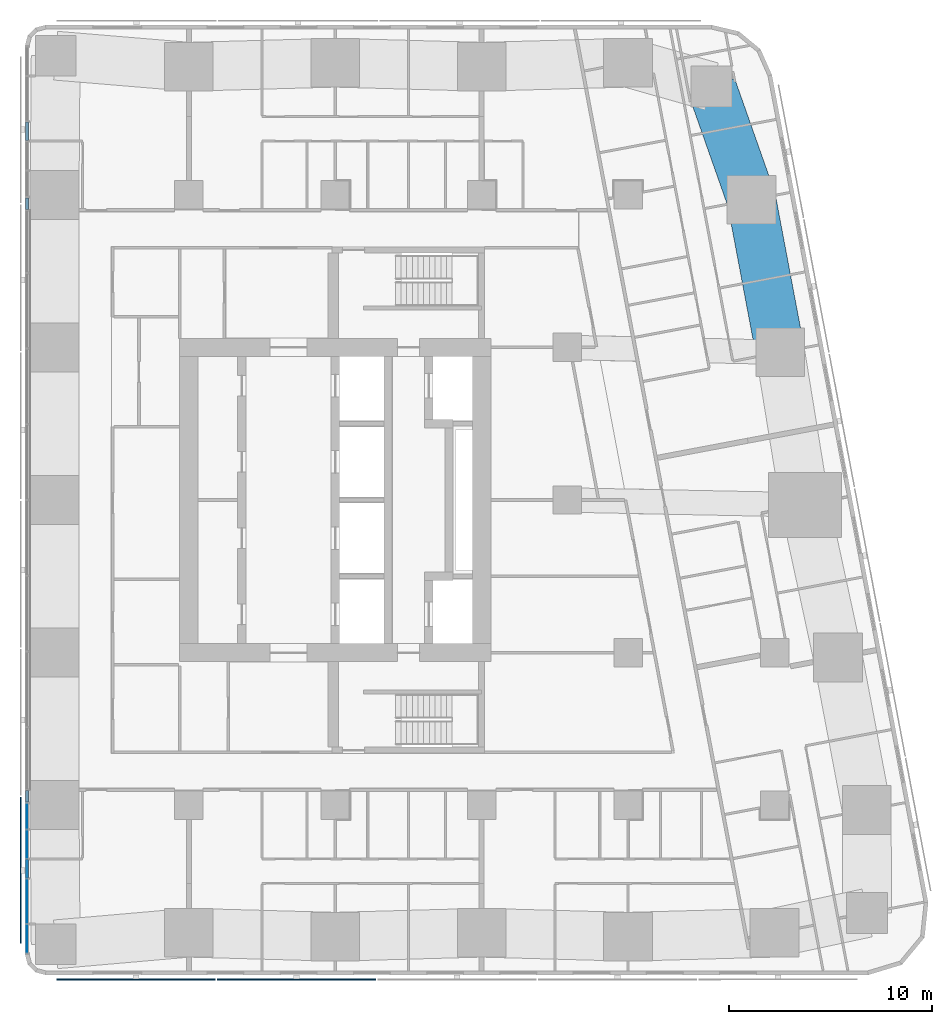
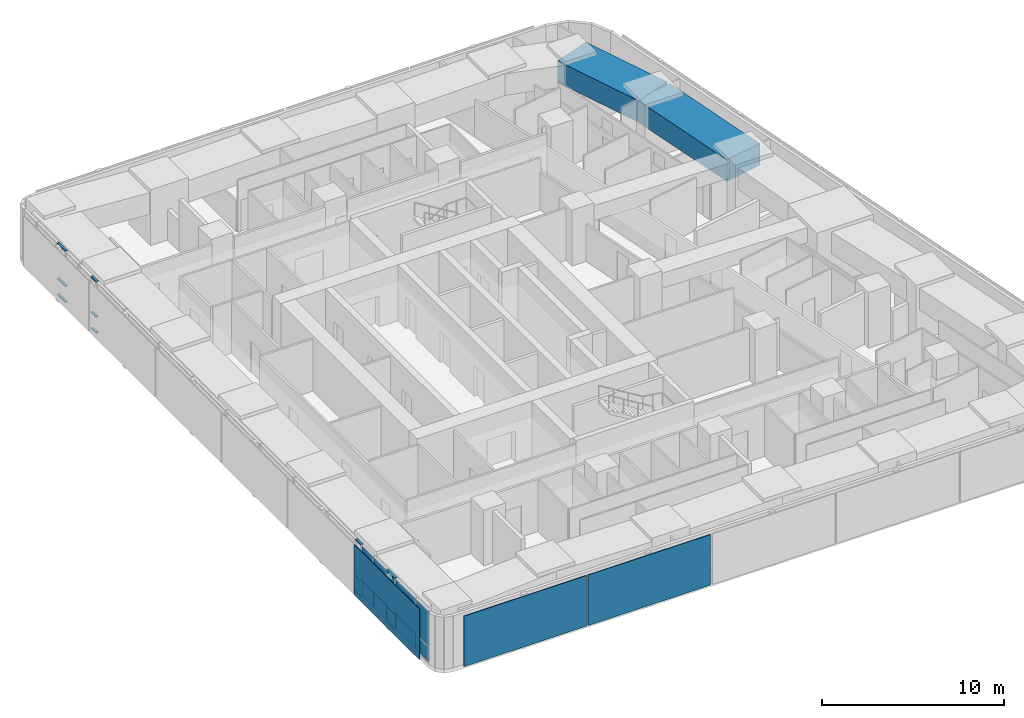
# One storey, part 6 of 19: 13 plates, 12 members, 2 beams, 1 element without a shape of its own.
"""IFC4 building model written with IfcOpenShell, lengths in metres."""

import ifcopenshell
import ifcopenshell.guid

model = None  # the IFC model being written
_history = None  # IfcOwnerHistory: only IFC2X3 demands one
_inside = {}  # id of a spatial element -> (the spatial element, [elements in it])
_under = {}  # id of a project, library or spatial element -> (it, [spatial elements below it])
_declared = {}  # id of a project -> (the project, [libraries it declares])
_typed = {}  # id of a type object -> (the type object, [elements of that type])
_made_of = {}  # id of a material, layer set ... -> (it, [elements and type objects made of it])


def new_model(schema):
    """Start an empty IFC model of exactly this schema.

    Asked for "IFC4X3", IfcOpenShell would pick the latest addendum, in which some entities
    have other attributes; the version numbers below select the first issue.
    IFC2X3 requires an IfcOwnerHistory on every rooted entity: one is made here for all.
    """
    global model, _history
    if schema == "IFC4X3":
        model = ifcopenshell.file(schema_version=(4, 3, 0, 0))
    else:
        model = ifcopenshell.file(schema=schema)
    _inside.clear()
    _under.clear()
    _declared.clear()
    _typed.clear()
    _made_of.clear()
    _history = None
    if model.schema == "IFC2X3":
        org = make("IfcOrganization", Name="unknown")
        user = make(
            "IfcPersonAndOrganization",
            ThePerson=make("IfcPerson", FamilyName="unknown"),
            TheOrganization=org,
        )
        app = make(
            "IfcApplication",
            ApplicationDeveloper=org,
            Version="unknown",
            ApplicationFullName="unknown",
            ApplicationIdentifier="unknown",
        )
        _history = make(
            "IfcOwnerHistory",
            OwningUser=user,
            OwningApplication=app,
            ChangeAction="ADDED",
            CreationDate=0,
        )
    return model


def make(cls, **values):
    """One entity of the class cls with the attributes given. An attribute that is None is left unset."""
    return model.create_entity(
        cls, **{name: value for name, value in values.items() if value is not None}
    )


def rooted(cls, **values):
    """An entity with a GlobalId (a new one), such as an element, a storey or a relation."""
    return make(cls, GlobalId=ifcopenshell.guid.new(), OwnerHistory=_history, **values)


def si_unit(unit_type, name, prefix=None):
    """IfcSIUnit, for example si_unit("LENGTHUNIT", "METRE", prefix="MILLI")."""
    return make("IfcSIUnit", UnitType=unit_type, Prefix=prefix, Name=name)


def assignment(units):
    """IfcUnitAssignment: the units of a project."""
    return None if units is None else make("IfcUnitAssignment", Units=units)


def point(xyz):
    """IfcCartesianPoint."""
    return None if xyz is None else make("IfcCartesianPoint", Coordinates=xyz)


def direction(xyz):
    """IfcDirection."""
    return None if xyz is None else make("IfcDirection", DirectionRatios=xyz)


def frame(location, z_axis=None, x_axis=None):
    """IfcAxis2Placement3D, a coordinate frame: its origin and axes. An axis left out is left unset."""
    return make(
        "IfcAxis2Placement3D",
        Location=point(location),
        Axis=direction(z_axis),
        RefDirection=direction(x_axis),
    )


def frame_2d(location, x_axis=None):
    """IfcAxis2Placement2D, a coordinate frame in the plane: its origin and x axis."""
    return make(
        "IfcAxis2Placement2D", Location=point(location), RefDirection=direction(x_axis)
    )


def origin():
    """The frame at (0, 0, 0) with its axes left unset."""
    return frame((0.0, 0.0, 0.0))


def origin_2d():
    """The frame at (0, 0) in the plane with its x axis left unset."""
    return frame_2d((0.0, 0.0))


def place(relative_to, where):
    """IfcLocalPlacement: puts the frame where relative to a parent placement (None: the world)."""
    return make(
        "IfcLocalPlacement", PlacementRelTo=relative_to, RelativePlacement=where
    )


def context(
    kind, dimensions, precision=None, world=None, true_north=None, identifier=None
):
    """IfcGeometricRepresentationContext, for example the 3D "Model" context."""
    return make(
        "IfcGeometricRepresentationContext",
        ContextIdentifier=identifier,
        ContextType=kind,
        CoordinateSpaceDimension=dimensions,
        Precision=precision,
        WorldCoordinateSystem=world,
        TrueNorth=true_north,
    )


def subcontext(parent, identifier, kind, view, scale=None):
    """IfcGeometricRepresentationSubContext, for example "Body" below "Model"."""
    return make(
        "IfcGeometricRepresentationSubContext",
        ContextIdentifier=identifier,
        ContextType=kind,
        ParentContext=parent,
        TargetScale=scale,
        TargetView=view,
    )


def project(units=None, contexts=None):
    """IfcProject with its units and contexts."""
    return rooted(
        "IfcProject",
        Name="project",
        RepresentationContexts=contexts,
        UnitsInContext=assignment(units),
    )


def spatial(cls, under=None, at=None, **own):
    """A site, building, storey or space (cls), placed at a placement, below another one or the project."""
    s = rooted(cls, ObjectPlacement=at, **own)
    if under is not None:
        _under.setdefault(under.id(), (under, []))[1].append(s)
    return s


def profile(cls, at=None, kind="AREA", **sizes):
    """A parametric profile (cls). Its sizes go by their IFC names, for example OverallWidth=200.0."""
    return make(cls, ProfileType=kind, Position=at, **sizes)


def rectangle(**sizes):
    """IfcRectangleProfileDef."""
    return profile("IfcRectangleProfileDef", **sizes)


def extrude(swept, where, along, depth):
    """IfcExtrudedAreaSolid: the profile swept, set in the frame where, extruded along a direction by depth."""
    return make(
        "IfcExtrudedAreaSolid",
        SweptArea=swept,
        Position=where,
        ExtrudedDirection=direction(along),
        Depth=depth,
    )


def shape(context_of_items, identifier, shape_type, items):
    """IfcShapeRepresentation: the items that make up one representation, for example the "Body"."""
    return make(
        "IfcShapeRepresentation",
        ContextOfItems=context_of_items,
        RepresentationIdentifier=identifier,
        RepresentationType=shape_type,
        Items=items,
    )


def material(Name=None, Category=None):
    """IfcMaterial."""
    return make("IfcMaterial", Name=Name, Category=Category)


def layer(
    of_material, thickness, ventilated=None, Name=None, Category=None, Priority=None
):
    """IfcMaterialLayer: one layer of a wall or slab, of a material (None: an air gap)."""
    return make(
        "IfcMaterialLayer",
        Material=of_material,
        LayerThickness=thickness,
        IsVentilated=ventilated,
        Name=Name,
        Category=Category,
        Priority=Priority,
    )


def layer_set(layers, Name=None):
    """IfcMaterialLayerSet."""
    return make("IfcMaterialLayerSet", MaterialLayers=layers, LayerSetName=Name)


def material_profile(
    of_material, cross_section, Name=None, Category=None, Priority=None
):
    """IfcMaterialProfile: a cross section and its material."""
    return make(
        "IfcMaterialProfile",
        Name=Name,
        Material=of_material,
        Profile=cross_section,
        Priority=Priority,
        Category=Category,
    )


def profile_set(profiles, Name=None, composite=None):
    """IfcMaterialProfileSet."""
    return make(
        "IfcMaterialProfileSet",
        Name=Name,
        MaterialProfiles=profiles,
        CompositeProfile=composite,
    )


def made_of(thing, what):
    """Note that an element or type object is made of a material, layer set ...; save() writes the relation."""
    if what is not None:
        _made_of.setdefault(what.id(), (what, []))[1].append(thing)
    return thing


def type_object(cls, material=None, **own):
    """A type object (cls), such as IfcWallType, which elements share."""
    return made_of(rooted(cls, **own), material)


def element(
    cls,
    number,
    at=None,
    inside=None,
    cuts=None,
    type_object=None,
    material=None,
    context=None,
    identifier="Body",
    shape_type=None,
    held_by="IfcProductDefinitionShape",
    body=None,
    shapes=None,
    **own,
):
    """One element of the class cls, such as IfcWall. Its Tag is "e" and its number.

    at: its placement. inside: the storey or other place that contains it. cuts: it is an
    opening in that element (IfcRelVoidsElement). A single representation is given by context,
    identifier, shape_type and body (its items); several are given by shapes. held_by: the class
    of the entity that holds the representations. save() writes the other relations.
    """
    e = rooted(cls, Tag="e%d" % number, ObjectPlacement=at, **own)
    if body is not None:
        shapes = [shape(context, identifier, shape_type, body)]
    if shapes is not None:
        e.Representation = make(held_by, Representations=shapes)
    if inside is not None:
        _inside.setdefault(inside.id(), (inside, []))[1].append(e)
    if cuts is not None:
        rooted(
            "IfcRelVoidsElement", RelatingBuildingElement=cuts, RelatedOpeningElement=e
        )
    if type_object is not None:
        _typed.setdefault(type_object.id(), (type_object, []))[1].append(e)
    return made_of(e, material)


def aggregate(whole, parts):
    """IfcRelAggregates: a whole, such as a stair, and the parts it consists of."""
    return rooted("IfcRelAggregates", RelatingObject=whole, RelatedObjects=parts)


def save(model, path):
    """Write the relations noted so far, then the file.

    IfcRelAggregates (storeys below a building ...), IfcRelContainedInSpatialStructure (elements
    in a storey), IfcRelDefinesByType, IfcRelAssociatesMaterial and IfcRelDeclares: one each for
    every whole, place, type object, material and project.
    """
    for whole, parts in _under.values():
        aggregate(whole, parts)
    for where, things in _inside.values():
        rooted(
            "IfcRelContainedInSpatialStructure",
            RelatedElements=things,
            RelatingStructure=where,
        )
    for kind, things in _typed.values():
        rooted("IfcRelDefinesByType", RelatedObjects=things, RelatingType=kind)
    for what, things in _made_of.values():
        rooted("IfcRelAssociatesMaterial", RelatedObjects=things, RelatingMaterial=what)
    for by, libraries in _declared.values():
        rooted("IfcRelDeclares", RelatingContext=by, RelatedDefinitions=libraries)
    model.write(path)


model = new_model("IFC4")

# Units and contexts
model_context = context("Model", 3, precision=1e-05, world=origin(), true_north=direction((0.0, 1.0)))
body_context = subcontext(model_context, "Body", "Model", "MODEL_VIEW")
ifc_project = project(units=[si_unit("LENGTHUNIT", "METRE"), si_unit("AREAUNIT", "SQUARE_METRE"), si_unit("VOLUMEUNIT", "CUBIC_METRE"), si_unit("PLANEANGLEUNIT", "RADIAN"), si_unit("MASSUNIT", "GRAM", prefix="KILO")], contexts=[model_context])

# Site, building, storey
site_placement = place(None, origin())
site = spatial("IfcSite", under=ifc_project, at=site_placement, CompositionType="ELEMENT")
building_placement = place(site_placement, origin())
building = spatial("IfcBuilding", under=site, at=building_placement, Name="Sheger Commons Tower", CompositionType="ELEMENT")
storey_placement = place(building_placement, frame((0.0, 0.0, 201.199951171875)))
storey = spatial("IfcBuildingStorey", under=building, at=storey_placement, Name="L51", CompositionType="ELEMENT", Elevation=201.199951171875)

# Beams
ifc_material_1 = material(Name="Concrete C50/60", Category="concrete")
ifc_material_profile_1 = material_profile(ifc_material_1, rectangle(XDim=2.39990234375, YDim=1.449951171875, at=origin_2d()), Name="RC 2400x1450")
ifc_profile_set_1 = profile_set([ifc_material_profile_1], Name="Concrete C50/60")
beam_type = type_object("IfcBeamType", Name="SPANDREL RC 2400x1450", PredefinedType="SPANDREL", material=ifc_profile_set_1)
beam_1_placement = place(storey_placement, frame((43.47998046875, 29.762939453125, 2.775146484375), z_axis=(-0.18552441405, 0.982639655108, 0.0), x_axis=(-0.982639655108, -0.18552441405, 0.0)))
element("IfcBeam", 1, at=beam_1_placement, inside=storey, type_object=beam_type, Name="Beam E/E-E/F under L52", PredefinedType="SPANDREL", context=body_context, shape_type="SweptSolid", body=[
    extrude(rectangle(XDim=2.39990234375, YDim=1.449951171875, at=origin_2d()), origin(), (0.0, 0.0, 1.0), 7.632568359375),
])
beam_2_placement = place(storey_placement, frame((42.06396484375, 37.262939453125, 2.775146484375), z_axis=(-0.332374403357, 0.943147526102, 0.0), x_axis=(-0.943147526102, -0.332374403357, 0.0)))
element("IfcBeam", 2, at=beam_2_placement, inside=storey, type_object=beam_type, Name="Beam E/F-41.490,44.505 under L52", PredefinedType="SPANDREL", context=body_context, shape_type="SweptSolid", body=[
    extrude(rectangle(XDim=2.39990234375, YDim=1.449951171875, at=origin_2d()), origin(), (0.0, 0.0, 1.0), 5.90283203125),
])

# Curtain wall, members, plates
ifc_material_2 = material(Name="Black aluminium curtain wall, dark tinted glazing", Category="aluminium")
curtain_wall_type = type_object("IfcCurtainWallType", Name="CURTAIN WALL CW4 GALLERY", PredefinedType="USERDEFINED", material=ifc_material_2)
curtain_wall_placement = place(storey_placement, origin())
curtain_wall = element("IfcCurtainWall", 3, at=curtain_wall_placement, inside=storey, type_object=curtain_wall_type, Name="Curtain Wall Cw4 Gallery W1 L51", ObjectType="UNITISED CURTAIN WALL", PredefinedType="USERDEFINED")
ifc_material_3 = material(Name="Black anodised aluminium", Category="aluminium")
ifc_material_profile_2 = material_profile(ifc_material_3, rectangle(XDim=0.14990234375, YDim=0.06494140625, at=origin_2d()), Name="AL 65x150")
ifc_profile_set_2 = profile_set([ifc_material_profile_2], Name="Black anodised aluminium")
member_type = type_object("IfcMemberType", Name="TRANSOM AL 65x150", PredefinedType="USERDEFINED", material=ifc_profile_set_2)
member_1_placement = place(storey_placement, frame((6.449951171875, 41.08154296875, 0.032470703125), z_axis=(0.0, -1.0, 0.0), x_axis=(1.0, 0.0, 0.0)))
member_1 = element("IfcMember", 4, at=member_1_placement, type_object=member_type, Name="CW4 transom 3.1", ObjectType="TRANSOM", PredefinedType="USERDEFINED", context=body_context, shape_type="SweptSolid", body=[
    extrude(rectangle(XDim=0.14990234375, YDim=0.06494140625, at=origin_2d()), origin(), (0.0, 0.0, 1.0), 0.89892578125),
])
member_2_placement = place(storey_placement, frame((6.449951171875, 41.08154296875, 1.10009765625), z_axis=(0.0, -1.0, 0.0), x_axis=(1.0, 0.0, 0.0)))
member_2 = element("IfcMember", 5, at=member_2_placement, type_object=member_type, Name="CW4 transom 3.2", ObjectType="TRANSOM", PredefinedType="USERDEFINED", context=body_context, shape_type="SweptSolid", body=[
    extrude(rectangle(XDim=0.14990234375, YDim=0.06494140625, at=origin_2d()), origin(), (0.0, 0.0, 1.0), 0.89892578125),
])
member_3_placement = place(storey_placement, frame((6.449951171875, 41.08154296875, 3.467529296875), z_axis=(0.0, -1.0, 0.0), x_axis=(1.0, 0.0, 0.0)))
member_3 = element("IfcMember", 6, at=member_3_placement, type_object=member_type, Name="CW4 transom 3.3", ObjectType="TRANSOM", PredefinedType="USERDEFINED", context=body_context, shape_type="SweptSolid", body=[
    extrude(rectangle(XDim=0.14990234375, YDim=0.06494140625, at=origin_2d()), origin(), (0.0, 0.0, 1.0), 0.89892578125),
])
member_4_placement = place(storey_placement, frame((6.449951171875, 37.3583984375, 0.032470703125), z_axis=(0.0, -1.0, 0.0), x_axis=(1.0, 0.0, 0.0)))
member_4 = element("IfcMember", 7, at=member_4_placement, type_object=member_type, Name="CW4 transom 6.1", ObjectType="TRANSOM", PredefinedType="USERDEFINED", context=body_context, shape_type="SweptSolid", body=[
    extrude(rectangle(XDim=0.14990234375, YDim=0.06494140625, at=origin_2d()), origin(), (0.0, 0.0, 1.0), 0.575927734375),
])
member_5_placement = place(storey_placement, frame((6.449951171875, 37.3583984375, 1.10009765625), z_axis=(0.0, -1.0, 0.0), x_axis=(1.0, 0.0, 0.0)))
member_5 = element("IfcMember", 8, at=member_5_placement, type_object=member_type, Name="CW4 transom 6.2", ObjectType="TRANSOM", PredefinedType="USERDEFINED", context=body_context, shape_type="SweptSolid", body=[
    extrude(rectangle(XDim=0.14990234375, YDim=0.06494140625, at=origin_2d()), origin(), (0.0, 0.0, 1.0), 0.575927734375),
])
member_6_placement = place(storey_placement, frame((6.449951171875, 37.3583984375, 3.467529296875), z_axis=(0.0, -1.0, 0.0), x_axis=(1.0, 0.0, 0.0)))
member_6 = element("IfcMember", 9, at=member_6_placement, type_object=member_type, Name="CW4 transom 6.3", ObjectType="TRANSOM", PredefinedType="USERDEFINED", context=body_context, shape_type="SweptSolid", body=[
    extrude(rectangle(XDim=0.14990234375, YDim=0.06494140625, at=origin_2d()), origin(), (0.0, 0.0, 1.0), 0.575927734375),
])
member_7_placement = place(storey_placement, frame((6.449951171875, 8.217529296875, 0.032470703125), z_axis=(0.0, -1.0, 0.0), x_axis=(1.0, 0.0, 0.0)))
member_7 = element("IfcMember", 10, at=member_7_placement, type_object=member_type, Name="CW4 transom 15.1", ObjectType="TRANSOM", PredefinedType="USERDEFINED", context=body_context, shape_type="SweptSolid", body=[
    extrude(rectangle(XDim=0.14990234375, YDim=0.06494140625, at=origin_2d()), origin(), (0.0, 0.0, 1.0), 0.575927734375),
])
member_8_placement = place(storey_placement, frame((6.449951171875, 8.217529296875, 1.10009765625), z_axis=(0.0, -1.0, 0.0), x_axis=(1.0, 0.0, 0.0)))
member_8 = element("IfcMember", 11, at=member_8_placement, type_object=member_type, Name="CW4 transom 15.2", ObjectType="TRANSOM", PredefinedType="USERDEFINED", context=body_context, shape_type="SweptSolid", body=[
    extrude(rectangle(XDim=0.14990234375, YDim=0.06494140625, at=origin_2d()), origin(), (0.0, 0.0, 1.0), 0.575927734375),
])
member_9_placement = place(storey_placement, frame((6.449951171875, 8.217529296875, 3.467529296875), z_axis=(0.0, -1.0, 0.0), x_axis=(1.0, 0.0, 0.0)))
member_9 = element("IfcMember", 12, at=member_9_placement, type_object=member_type, Name="CW4 transom 15.3", ObjectType="TRANSOM", PredefinedType="USERDEFINED", context=body_context, shape_type="SweptSolid", body=[
    extrude(rectangle(XDim=0.14990234375, YDim=0.06494140625, at=origin_2d()), origin(), (0.0, 0.0, 1.0), 0.575927734375),
])
member_10_placement = place(storey_placement, frame((6.449951171875, 4.8173828125, 0.032470703125), z_axis=(0.0, -1.0, 0.0), x_axis=(1.0, 0.0, 0.0)))
member_10 = element("IfcMember", 13, at=member_10_placement, type_object=member_type, Name="CW4 transom 18.1", ObjectType="TRANSOM", PredefinedType="USERDEFINED", context=body_context, shape_type="SweptSolid", body=[
    extrude(rectangle(XDim=0.14990234375, YDim=0.06494140625, at=origin_2d()), origin(), (0.0, 0.0, 1.0), 0.89892578125),
])
member_11_placement = place(storey_placement, frame((6.449951171875, 4.8173828125, 1.10009765625), z_axis=(0.0, -1.0, 0.0), x_axis=(1.0, 0.0, 0.0)))
member_11 = element("IfcMember", 14, at=member_11_placement, type_object=member_type, Name="CW4 transom 18.2", ObjectType="TRANSOM", PredefinedType="USERDEFINED", context=body_context, shape_type="SweptSolid", body=[
    extrude(rectangle(XDim=0.14990234375, YDim=0.06494140625, at=origin_2d()), origin(), (0.0, 0.0, 1.0), 0.89892578125),
])
member_12_placement = place(storey_placement, frame((6.449951171875, 4.8173828125, 3.467529296875), z_axis=(0.0, -1.0, 0.0), x_axis=(1.0, 0.0, 0.0)))
member_12 = element("IfcMember", 15, at=member_12_placement, type_object=member_type, Name="CW4 transom 18.3", ObjectType="TRANSOM", PredefinedType="USERDEFINED", context=body_context, shape_type="SweptSolid", body=[
    extrude(rectangle(XDim=0.14990234375, YDim=0.06494140625, at=origin_2d()), origin(), (0.0, 0.0, 1.0), 0.89892578125),
])
ifc_material_4 = material(Name="Dark tinted double glazing", Category="glass")
ifc_layer_1 = layer(ifc_material_4, 0.031982421875)
ifc_layer_set_1 = layer_set([ifc_layer_1], Name="GLAZED PANEL 32")
plate_type_1 = type_object("IfcPlateType", Name="GLAZED PANEL 32", PredefinedType="CURTAIN_PANEL", material=ifc_layer_set_1)
plate_1_placement = place(storey_placement, frame((6.449951171875, 6.95458984375, 0.065185546875), z_axis=(0.0, 0.0, 1.0), x_axis=(0.0, -1.0, 0.0)))
plate_1 = element("IfcPlate", 16, at=plate_1_placement, type_object=plate_type_1, Name="CW4 panel 16.1", PredefinedType="CURTAIN_PANEL", context=body_context, shape_type="SweptSolid", body=[
    extrude(rectangle(XDim=1.243896484375, YDim=0.031982421875, at=origin_2d()), origin(), (0.0, 0.0, 1.0), 1.00244140625),
])
plate_2_placement = place(storey_placement, frame((6.449951171875, 6.95458984375, 1.13232421875), z_axis=(0.0, 0.0, 1.0), x_axis=(0.0, -1.0, 0.0)))
plate_2 = element("IfcPlate", 17, at=plate_2_placement, type_object=plate_type_1, Name="CW4 panel 16.2", PredefinedType="CURTAIN_PANEL", context=body_context, shape_type="SweptSolid", body=[
    extrude(rectangle(XDim=1.243896484375, YDim=0.031982421875, at=origin_2d()), origin(), (0.0, 0.0, 1.0), 2.302490234375),
])
plate_3_placement = place(storey_placement, frame((6.449951171875, 5.574951171875, 0.065185546875), z_axis=(0.0, 0.0, 1.0), x_axis=(0.0, -1.0, 0.0)))
plate_3 = element("IfcPlate", 18, at=plate_3_placement, type_object=plate_type_1, Name="CW4 panel 17.1", PredefinedType="CURTAIN_PANEL", context=body_context, shape_type="SweptSolid", body=[
    extrude(rectangle(XDim=1.385009765625, YDim=0.031982421875, at=origin_2d()), origin(), (0.0, 0.0, 1.0), 1.00244140625),
])
plate_4_placement = place(storey_placement, frame((6.449951171875, 5.574951171875, 1.13232421875), z_axis=(0.0, 0.0, 1.0), x_axis=(0.0, -1.0, 0.0)))
plate_4 = element("IfcPlate", 19, at=plate_4_placement, type_object=plate_type_1, Name="CW4 panel 17.2", PredefinedType="CURTAIN_PANEL", context=body_context, shape_type="SweptSolid", body=[
    extrude(rectangle(XDim=1.385009765625, YDim=0.031982421875, at=origin_2d()), origin(), (0.0, 0.0, 1.0), 2.302490234375),
])
plate_5_placement = place(storey_placement, frame((6.449951171875, 4.367919921875, 0.065185546875), z_axis=(0.0, 0.0, 1.0), x_axis=(0.0, -1.0, 0.0)))
plate_5 = element("IfcPlate", 20, at=plate_5_placement, type_object=plate_type_1, Name="CW4 panel 18.1", PredefinedType="CURTAIN_PANEL", context=body_context, shape_type="SweptSolid", body=[
    extrude(rectangle(XDim=0.89892578125, YDim=0.031982421875, at=origin_2d()), origin(), (0.0, 0.0, 1.0), 1.00244140625),
])
plate_6_placement = place(storey_placement, frame((6.449951171875, 4.367919921875, 1.13232421875), z_axis=(0.0, 0.0, 1.0), x_axis=(0.0, -1.0, 0.0)))
plate_6 = element("IfcPlate", 21, at=plate_6_placement, type_object=plate_type_1, Name="CW4 panel 18.2", PredefinedType="CURTAIN_PANEL", context=body_context, shape_type="SweptSolid", body=[
    extrude(rectangle(XDim=0.89892578125, YDim=0.031982421875, at=origin_2d()), origin(), (0.0, 0.0, 1.0), 2.302490234375),
])
plate_7_placement = place(storey_placement, frame((6.449951171875, 2.77001953125, 0.065185546875), z_axis=(0.0, 0.0, 1.0), x_axis=(0.0, -1.0, 0.0)))
plate_7 = element("IfcPlate", 22, at=plate_7_placement, type_object=plate_type_1, Name="CW4 panel 19.1", PredefinedType="CURTAIN_PANEL", context=body_context, shape_type="SweptSolid", body=[
    extrude(rectangle(XDim=2.1669921875, YDim=0.031982421875, at=origin_2d()), origin(), (0.0, 0.0, 1.0), 1.00244140625),
])
plate_8_placement = place(storey_placement, frame((6.449951171875, 2.77001953125, 1.13232421875), z_axis=(0.0, 0.0, 1.0), x_axis=(0.0, -1.0, 0.0)))
plate_8 = element("IfcPlate", 23, at=plate_8_placement, type_object=plate_type_1, Name="CW4 panel 19.2", PredefinedType="CURTAIN_PANEL", context=body_context, shape_type="SweptSolid", body=[
    extrude(rectangle(XDim=2.1669921875, YDim=0.031982421875, at=origin_2d()), origin(), (0.0, 0.0, 1.0), 2.302490234375),
])
plate_9_placement = place(storey_placement, frame((6.449951171875, 0.9248046875, 0.065185546875), z_axis=(0.0, 0.0, 1.0), x_axis=(0.0, -1.0, 0.0)))
plate_9 = element("IfcPlate", 24, at=plate_9_placement, type_object=plate_type_1, Name="CW4 panel 20.1", PredefinedType="CURTAIN_PANEL", context=body_context, shape_type="SweptSolid", body=[
    extrude(rectangle(XDim=1.3935546875, YDim=0.031982421875, at=origin_2d()), origin(), (0.0, 0.0, 1.0), 1.00244140625),
])
plate_10_placement = place(storey_placement, frame((6.449951171875, 0.9248046875, 1.13232421875), z_axis=(0.0, 0.0, 1.0), x_axis=(0.0, -1.0, 0.0)))
plate_10 = element("IfcPlate", 25, at=plate_10_placement, type_object=plate_type_1, Name="CW4 panel 20.2", PredefinedType="CURTAIN_PANEL", context=body_context, shape_type="SweptSolid", body=[
    extrude(rectangle(XDim=1.3935546875, YDim=0.031982421875, at=origin_2d()), origin(), (0.0, 0.0, 1.0), 2.302490234375),
])
aggregate(curtain_wall, [member_1, member_2, member_3, member_4, member_5, member_6, member_7, member_8, member_9, plate_1, plate_2, plate_3, plate_4, member_10, member_11, member_12, plate_5, plate_6, plate_7, plate_8, plate_9, plate_10])

# Plates
ifc_material_5 = material(Name="Perforated black anodised aluminium screen", Category="aluminium")
ifc_layer_2 = layer(ifc_material_5, 0.050048828125)
ifc_layer_set_2 = layer_set([ifc_layer_2], Name="SOLAR SCREEN SCREEN-1")
plate_type_2 = type_object("IfcPlateType", Name="SOLAR SCREEN SCREEN-1", PredefinedType="USERDEFINED", material=ifc_layer_set_2)
for number, where, z_axis, x_axis, name in (
    (26, (11.7958984375, -1.074951171875, 0.050048828125), (0.0, 0.0, 1.0), (1.0, 0.0, 0.0), "Perforated solar screen panel"),
    (27, (19.68701171875, -1.074951171875, 0.050048828125), (0.0, 0.0, 1.0), (1.0, 0.0, 0.0), "Perforated solar screen panel"),
):
    element("IfcPlate", number, at=place(storey_placement, frame(where, z_axis=z_axis, x_axis=x_axis)), inside=storey, type_object=plate_type_2, Name=name, ObjectType="SCREEN", PredefinedType="USERDEFINED", context=body_context, shape_type="SweptSolid", body=[
        extrude(rectangle(XDim=7.791015625, YDim=0.050048828125, at=origin_2d()), origin(), (0.0, 0.0, 1.0), 3.39990234375),
    ])
plate_11_placement = place(storey_placement, frame((6.125, 4.2919921875, 0.050048828125), z_axis=(0.0, 0.0, 1.0), x_axis=(0.0, -1.0, 0.0)))
element("IfcPlate", 28, at=plate_11_placement, inside=storey, type_object=plate_type_2, Name="Perforated solar screen panel", ObjectType="SCREEN", PredefinedType="USERDEFINED", context=body_context, shape_type="SweptSolid", body=[
    extrude(rectangle(XDim=7.18310546875, YDim=0.050048828125, at=origin_2d()), origin(), (0.0, 0.0, 1.0), 3.39990234375),
])

save(model, "model.ifc")
